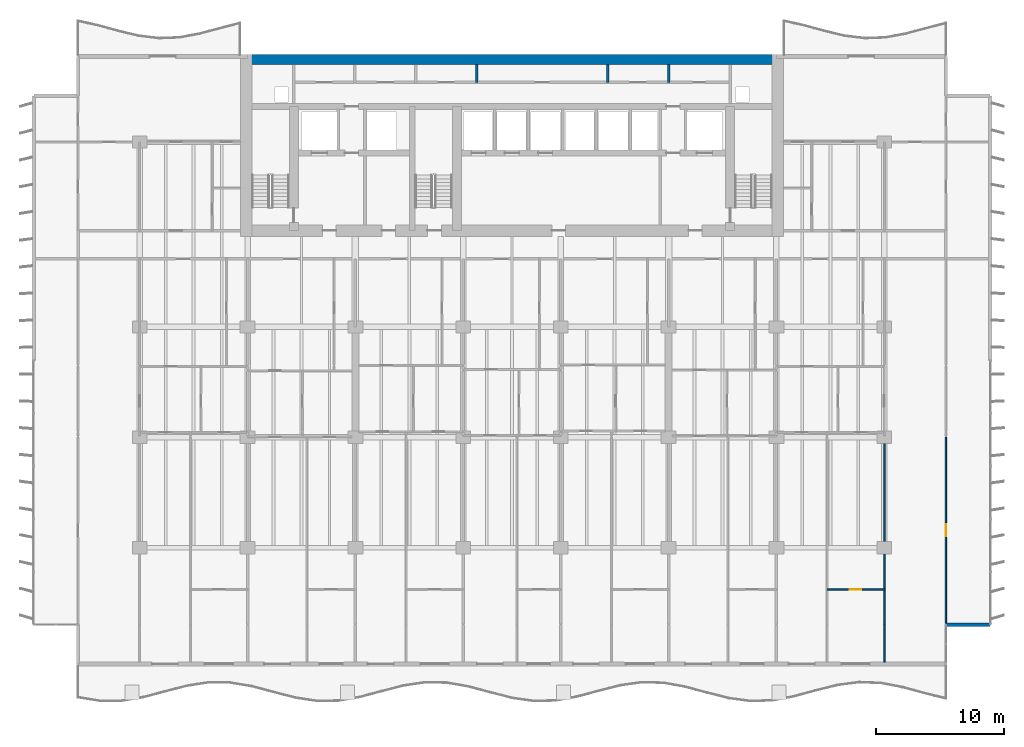
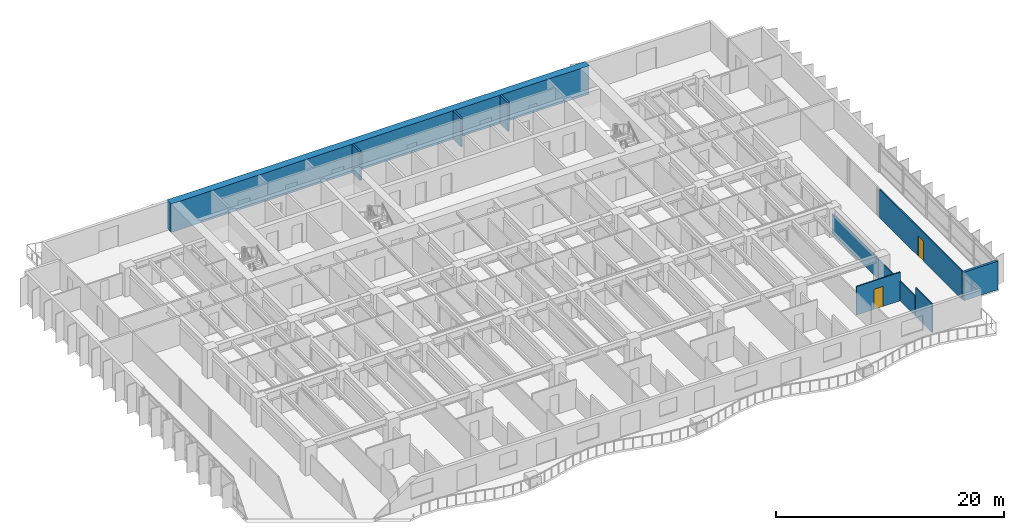
# One storey, part 13 of 19: 9 walls, 2 doors, 2 openings.
"""IFC4 building model written with IfcOpenShell, lengths in metres."""

from ifc_helpers import new_model, si_unit, direction, frame, frame_2d, origin, place, context, subcontext, project, spatial, rectangle, extrude, material, layer, layer_set, type_object, element, fill, save


model = new_model("IFC4")

# Units and contexts
model_context = context("Model", 3, precision=1e-05, world=origin(), true_north=direction((0.0, 1.0)))
body_context = subcontext(model_context, "Body", "Model", "MODEL_VIEW")
ifc_project = project(units=[si_unit("LENGTHUNIT", "METRE"), si_unit("AREAUNIT", "SQUARE_METRE"), si_unit("VOLUMEUNIT", "CUBIC_METRE"), si_unit("PLANEANGLEUNIT", "RADIAN"), si_unit("MASSUNIT", "GRAM", prefix="KILO")], contexts=[model_context])

# Site, building, storey
site_placement = place(None, origin())
site = spatial("IfcSite", under=ifc_project, at=site_placement, CompositionType="ELEMENT")
building_placement = place(site_placement, origin())
building = spatial("IfcBuilding", under=site, at=building_placement, Name="Caelmar Bay Residences", CompositionType="ELEMENT")
storey_placement = place(building_placement, frame((0.0, 0.0, 66.300048828125)))
storey = spatial("IfcBuildingStorey", under=building, at=storey_placement, Name="L17", CompositionType="ELEMENT", Elevation=66.300048828125)

# Walls
ifc_material_1 = material(Name="Concrete f'c 70 MPa (10,000 psi)", Category="concrete")
ifc_layer_1 = layer(ifc_material_1, 0.75)
ifc_layer_set_1 = layer_set([ifc_layer_1], Name="Concrete f'c 70 MPa (10,000 psi)")
wall_type_1 = type_object("IfcWallType", Name="SW-CORN-750", PredefinedType="SHEAR", material=ifc_layer_set_1)
wall_1_placement = place(storey_placement, frame((17.75, 50.22509765625, 0.0), z_axis=(0.0, 0.0, 1.0), x_axis=(1.0, 0.0, 0.0)))
element("IfcWall", 1, at=wall_1_placement, inside=storey, type_object=wall_type_1, Name="L17 Rear Core North Shear Wall", PredefinedType="SHEAR", context=body_context, shape_type="SweptSolid", body=[
    extrude(rectangle(XDim=42.300048828125, YDim=0.75, at=frame_2d((21.14990234375, 0.0))), origin(), (0.0, 0.0, 1.0), 3.050048828125),
])
ifc_material_2 = material(Name="Double-stud acoustic fire-rated gypsum partition 180 mm")
ifc_layer_2 = layer(ifc_material_2, 0.179931640625)
ifc_layer_set_2 = layer_set([ifc_layer_2], Name="Double-stud acoustic fire-rated gypsum partition 180 mm")
wall_type_2 = type_object("IfcWallType", Name="W-COR-200", PredefinedType="PARTITIONING", material=ifc_layer_set_2)
for number, where, z_axis, x_axis, name in (
    (2, (36.14990234375, 48.449951171875, 0.0), (0.0, 0.0, 1.0), (0.0, 1.0, 0.0), "L17 Partition Wall V055"),
    (3, (46.35009765625, 48.449951171875, 0.0), (0.0, 0.0, 1.0), (0.0, 1.0, 0.0), "L17 Partition Wall V072"),
    (4, (51.10009765625, 48.449951171875, 0.0), (0.0, 0.0, 1.0), (0.0, 1.0, 0.0), "L17 Partition Wall V085"),
):
    element("IfcWall", number, at=place(storey_placement, frame(where, z_axis=z_axis, x_axis=x_axis)), inside=storey, type_object=wall_type_2, Name=name, PredefinedType="PARTITIONING", context=body_context, shape_type="SweptSolid", body=[
        extrude(rectangle(XDim=1.405029296875, YDim=0.179931640625, at=frame_2d((0.70263671875, 0.0))), origin(), (0.0, 0.0, 1.0), 3.050048828125),
    ])
ifc_material_3 = material(Name="Precast concrete f'c 40 MPa (6,000 psi)", Category="concrete")
ifc_layer_3 = layer(ifc_material_3, 0.25)
ifc_layer_set_3 = layer_set([ifc_layer_3], Name="Precast concrete f'c 40 MPa (6,000 psi)")
wall_type_3 = type_object("IfcWallType", Name="W-EXT-250", PredefinedType="ELEMENTEDWALL", material=ifc_layer_set_3)
wall_2_placement = place(storey_placement, frame((72.699951171875, 6.199951171875, 0.0), z_axis=(0.0, 0.0, 1.0), x_axis=(1.0, 0.0, 0.0)))
element("IfcWall", 5, at=wall_2_placement, inside=storey, type_object=wall_type_3, Name="L17 SE Notch Return Wall", PredefinedType="ELEMENTEDWALL", context=body_context, shape_type="SweptSolid", body=[
    extrude(rectangle(XDim=3.449951171875, YDim=0.25, at=frame_2d((1.72509765625, 0.0))), origin(), (0.0, 0.0, 1.0), 3.050048828125),
])
ifc_material_4 = material(Name="Acoustic metal-stud gypsum partition 120 mm")
ifc_layer_4 = layer(ifc_material_4, 0.1201171875)
ifc_layer_set_4 = layer_set([ifc_layer_4], Name="Acoustic metal-stud gypsum partition 120 mm")
wall_type_4 = type_object("IfcWallType", Name="W-PRT-120", PredefinedType="PARTITIONING", material=ifc_layer_set_4)
wall_3_placement = place(storey_placement, frame((67.89990234375, 3.294921875, 0.0), z_axis=(0.0, 0.0, 1.0), x_axis=(0.0, 1.0, 0.0)))
element("IfcWall", 6, at=wall_3_placement, inside=storey, type_object=wall_type_4, Name="L17 Partition Wall V107", PredefinedType="PARTITIONING", context=body_context, shape_type="SweptSolid", body=[
    extrude(rectangle(XDim=2.905029296875, YDim=0.1201171875, at=frame_2d((1.45263671875, 0.0))), origin(), (0.0, 0.0, 1.0), 3.050048828125),
])
wall_4_placement = place(storey_placement, frame((67.89990234375, 6.239990234375, 0.0), z_axis=(0.0, 0.0, 1.0), x_axis=(0.0, 1.0, 0.0)))
element("IfcWall", 7, at=wall_4_placement, inside=storey, type_object=wall_type_4, Name="L17 Partition Wall V108", PredefinedType="PARTITIONING", context=body_context, shape_type="SweptSolid", body=[
    extrude(rectangle(XDim=14.56005859375, YDim=0.1201171875, at=frame_2d((7.280029296875, 0.0))), origin(), (0.0, 0.0, 1.0), 2.10986328125),
])

# Wall, opening, door
wall_5_placement = place(storey_placement, frame((72.699951171875, 6.320068359375, 0.0), z_axis=(0.0, 0.0, 1.0), x_axis=(0.0, 1.0, 0.0)))
wall_5 = element("IfcWall", 8, at=wall_5_placement, inside=storey, type_object=wall_type_4, Name="L17 Partition Wall V114", PredefinedType="PARTITIONING", context=body_context, shape_type="SweptSolid", body=[
    extrude(rectangle(XDim=14.47998046875, YDim=0.1201171875, at=frame_2d((7.239990234375, 0.0))), origin(), (0.0, 0.0, 1.0), 3.050048828125),
])
opening_1_placement = place(wall_5_placement, frame((6.7900390625, 0.0, 0.0)))
opening_1 = element("IfcOpeningElement", 9, at=opening_1_placement, cuts=wall_5, Name="Opening D-L17-175", PredefinedType="OPENING", context=body_context, shape_type="SweptSolid", body=[
    extrude(rectangle(XDim=0.89990234375, YDim=2.14990234375, at=frame_2d((0.449951171875, 1.074951171875))), frame((0.0, 0.070068359375, 0.0), z_axis=(0.0, -1.0, 0.0), x_axis=(1.0, 0.0, 0.0)), (0.0, 0.0, 1.0), 0.14013671875),
])
ifc_material_5 = material(Name="Solid walnut timber interior door leaf and frame", Category="wood")
ifc_layer_5 = layer(ifc_material_5, 0.050048828125)
ifc_layer_set_5 = layer_set([ifc_layer_5], Name="Solid walnut timber interior door leaf and frame")
door_type = type_object("IfcDoorType", Name="D-ROOM-900", OperationType="NOTDEFINED", PredefinedType="DOOR", material=ifc_layer_set_5)
door_1_placement = place(opening_1_placement, origin())
door_1 = element("IfcDoor", 10, at=door_1_placement, inside=storey, type_object=door_type, Name="L17 Residence 07 Penthouse East Salon Door", OperationType="SINGLE_SWING_RIGHT", OverallHeight=2.14990234375, OverallWidth=0.89990234375, PredefinedType="DOOR", context=body_context, shape_type="SweptSolid", body=[
    extrude(rectangle(XDim=0.89990234375, YDim=2.14990234375, at=frame_2d((0.449951171875, 1.074951171875))), frame((0.0, 0.02490234375, 0.0), z_axis=(0.0, -1.0, 0.0), x_axis=(1.0, 0.0, 0.0)), (0.0, 0.0, 1.0), 0.050048828125),
])
fill(opening_1, door_1)

wall_6_placement = place(storey_placement, frame((63.447998046875, 8.949951171875, 0.0), z_axis=(0.0, 0.0, 1.0), x_axis=(1.0, 0.0, 0.0)))
wall_6 = element("IfcWall", 11, at=wall_6_placement, inside=storey, type_object=wall_type_4, Name="L17 Partition Wall H127", PredefinedType="PARTITIONING", context=body_context, shape_type="SweptSolid", body=[
    extrude(rectangle(XDim=4.451904296875, YDim=0.1201171875, at=frame_2d((2.22607421875, 0.0))), origin(), (0.0, 0.0, 1.0), 3.050048828125),
])
opening_2_placement = place(wall_6_placement, frame((1.77587890625, 0.0, 0.0)))
opening_2 = element("IfcOpeningElement", 12, at=opening_2_placement, cuts=wall_6, Name="Opening D-L17-172", PredefinedType="OPENING", context=body_context, shape_type="SweptSolid", body=[
    extrude(rectangle(XDim=0.89990234375, YDim=2.14990234375, at=frame_2d((0.449951171875, 1.074951171875))), frame((0.0, 0.070068359375, 0.0), z_axis=(0.0, -1.0, 0.0), x_axis=(1.0, 0.0, 0.0)), (0.0, 0.0, 1.0), 0.14013671875),
])
door_2_placement = place(opening_2_placement, origin())
door_2 = element("IfcDoor", 13, at=door_2_placement, inside=storey, type_object=door_type, Name="L17 Residence 07 Primary Bedroom Door", OperationType="SINGLE_SWING_LEFT", OverallHeight=2.14990234375, OverallWidth=0.89990234375, PredefinedType="DOOR", context=body_context, shape_type="SweptSolid", body=[
    extrude(rectangle(XDim=0.89990234375, YDim=2.14990234375, at=frame_2d((0.449951171875, 1.074951171875))), frame((0.0, 0.02490234375, 0.0), z_axis=(0.0, -1.0, 0.0), x_axis=(1.0, 0.0, 0.0)), (0.0, 0.0, 1.0), 0.050048828125),
])
fill(opening_2, door_2)

save(model, "model.ifc")
